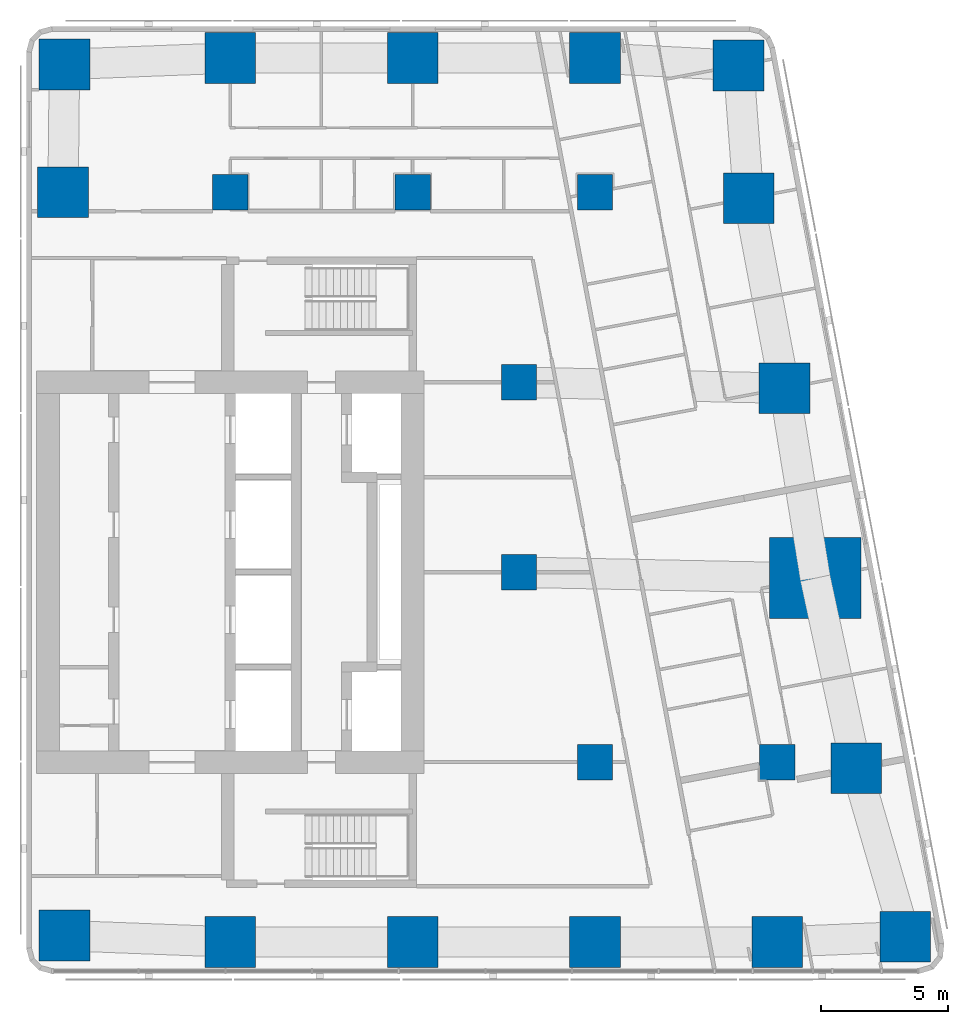
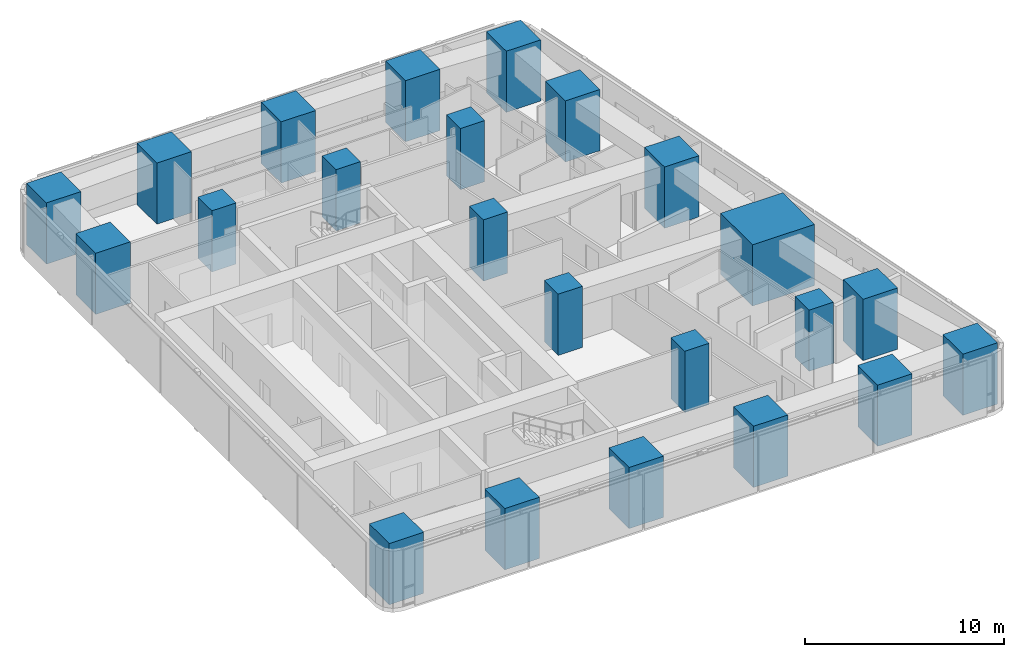
# One storey, part 1 of 11: 23 columns.
"""IFC4 building model written with IfcOpenShell, lengths in metres."""

from ifc_helpers import new_model, si_unit, direction, frame, origin, origin_2d, place, context, subcontext, project, spatial, rectangle, extrude, material, material_profile, profile_set, type_object, element, save


model = new_model("IFC4")

# Units and contexts
model_context = context("Model", 3, precision=1e-05, world=origin(), true_north=direction((0.0, 1.0)))
body_context = subcontext(model_context, "Body", "Model", "MODEL_VIEW")
ifc_project = project(units=[si_unit("LENGTHUNIT", "METRE"), si_unit("AREAUNIT", "SQUARE_METRE"), si_unit("VOLUMEUNIT", "CUBIC_METRE"), si_unit("PLANEANGLEUNIT", "RADIAN"), si_unit("MASSUNIT", "GRAM", prefix="KILO")], contexts=[model_context])

# Site, building, storey
site_placement = place(None, origin())
site = spatial("IfcSite", under=ifc_project, at=site_placement, CompositionType="ELEMENT")
building_placement = place(site_placement, origin())
building = spatial("IfcBuilding", under=site, at=building_placement, Name="Sheger Commons Tower", CompositionType="ELEMENT")
storey_placement = place(building_placement, frame((0.0, 0.0, 270.35009765625)))
storey = spatial("IfcBuildingStorey", under=building, at=storey_placement, Name="L69", CompositionType="ELEMENT", Elevation=270.35009765625)

# Columns
ifc_material_1 = material(Name="Concrete C50/60", Category="concrete")
ifc_material_profile_1 = material_profile(ifc_material_1, rectangle(XDim=3.60009765625, YDim=3.199951171875, at=origin_2d()), Name="RC 3600x3200")
ifc_profile_set_1 = profile_set([ifc_material_profile_1], Name="Concrete C50/60")
column_type_1 = type_object("IfcColumnType", Name="COLUMN PIER RC 3600x3200", PredefinedType="COLUMN", material=ifc_profile_set_1)
column_placement = place(storey_placement, frame((44.697021484375, 22.262939453125, 0.0), z_axis=(0.0, 0.0, 1.0), x_axis=(1.0, 0.0, 0.0)))
element("IfcColumn", 1, at=column_placement, inside=storey, type_object=column_type_1, Name="Pier 7/D+E/D L69", PredefinedType="COLUMN", context=body_context, shape_type="SweptSolid", body=[
    extrude(rectangle(XDim=3.60009765625, YDim=3.199951171875, at=origin_2d()), origin(), (0.0, 0.0, 1.0), 3.75),
])
ifc_material_2 = material(Name="Concrete C50/60", Category="concrete")
ifc_material_profile_2 = material_profile(ifc_material_2, rectangle(XDim=1.39990234375, YDim=1.39990234375, at=origin_2d()), Name="RC 1400x1400")
ifc_profile_set_2 = profile_set([ifc_material_profile_2], Name="Concrete C50/60")
column_type_2 = type_object("IfcColumnType", Name="COLUMN RC 1400x1400", PredefinedType="COLUMN", material=ifc_profile_set_2)
for number, where, z_axis, x_axis, name in (
    (2, (36.0, 15.0, 0.0), (0.0, 0.0, 1.0), (1.0, 0.0, 0.0), "Column 6/C L69"),
    (3, (43.199951171875, 15.0, 0.0), (0.0, 0.0, 1.0), (1.0, 0.0, 0.0), "Column 7/C L69"),
    (4, (33.0, 22.5, 0.0), (0.0, 0.0, 1.0), (1.0, 0.0, 0.0), "Column 6-3000/D L69"),
    (5, (33.0, 30.0, 0.0), (0.0, 0.0, 1.0), (1.0, 0.0, 0.0), "Column 6-3000/E L69"),
    (6, (21.60009765625, 37.5, 0.0), (0.0, 0.0, 1.0), (1.0, 0.0, 0.0), "Column 4/F L69"),
    (7, (28.800048828125, 37.5, 0.0), (0.0, 0.0, 1.0), (1.0, 0.0, 0.0), "Column 5/F L69"),
    (8, (36.0, 37.5, 0.0), (0.0, 0.0, 1.0), (1.0, 0.0, 0.0), "Column 6/F L69"),
):
    element("IfcColumn", number, at=place(storey_placement, frame(where, z_axis=z_axis, x_axis=x_axis)), inside=storey, type_object=column_type_2, Name=name, PredefinedType="COLUMN", context=body_context, shape_type="SweptSolid", body=[
        extrude(rectangle(XDim=1.39990234375, YDim=1.39990234375, at=origin_2d()), origin(), (0.0, 0.0, 1.0), 3.75),
    ])
ifc_material_3 = material(Name="Concrete C50/60", Category="concrete")
ifc_material_profile_3 = material_profile(ifc_material_3, rectangle(XDim=2.0, YDim=2.0, at=origin_2d()), Name="RC 2000x2000")
ifc_profile_set_3 = profile_set([ifc_material_profile_3], Name="Concrete C50/60")
column_type_3 = type_object("IfcColumnType", Name="COLUMN RC 2000x2000", PredefinedType="COLUMN", material=ifc_profile_set_3)
for number, where, z_axis, x_axis, name in (
    (9, (15.053955078125, 8.154052734375, 0.0), (0.0, 0.0, 1.0), (1.0, 0.0, 0.0), "Column 3/B L69"),
    (10, (21.60009765625, 7.89990234375, 0.0), (0.0, 0.0, 1.0), (1.0, 0.0, 0.0), "Column 4/B L69"),
    (11, (28.800048828125, 7.89990234375, 0.0), (0.0, 0.0, 1.0), (1.0, 0.0, 0.0), "Column 5/B L69"),
    (12, (36.0, 7.89990234375, 0.0), (0.0, 0.0, 1.0), (1.0, 0.0, 0.0), "Column 6/B L69"),
    (13, (43.199951171875, 7.89990234375, 0.0), (0.0, 0.0, 1.0), (1.0, 0.0, 0.0), "Column 7/B L69"),
    (14, (48.251953125, 8.10693359375, 0.0), (0.0, 0.0, 1.0), (1.0, 0.0, 0.0), "Column E/B L69"),
    (15, (46.31396484375, 14.762939453125, 0.0), (0.0, 0.0, 1.0), (1.0, 0.0, 0.0), "Column E/C L69"),
    (16, (43.47998046875, 29.762939453125, 0.0), (0.0, 0.0, 1.0), (1.0, 0.0, 0.0), "Column E/E L69"),
    (17, (15.0, 37.5, 0.0), (0.0, 0.0, 1.0), (1.0, 0.0, 0.0), "Column 3/F L69"),
    (18, (42.06396484375, 37.262939453125, 0.0), (0.0, 0.0, 1.0), (1.0, 0.0, 0.0), "Column E/F L69"),
    (19, (15.053955078125, 42.5458984375, 0.0), (0.0, 0.0, 1.0), (1.0, 0.0, 0.0), "Column 3/G-1.8 L69"),
    (20, (21.60009765625, 42.800048828125, 0.0), (0.0, 0.0, 1.0), (1.0, 0.0, 0.0), "Column 4/G-1.8 L69"),
    (21, (28.800048828125, 42.800048828125, 0.0), (0.0, 0.0, 1.0), (1.0, 0.0, 0.0), "Column 5/G-1.8 L69"),
    (22, (36.0, 42.800048828125, 0.0), (0.0, 0.0, 1.0), (1.0, 0.0, 0.0), "Column 6/G-1.8 L69"),
    (23, (41.6669921875, 42.506103515625, 0.0), (0.0, 0.0, 1.0), (1.0, 0.0, 0.0), "Column E/G-1.8 L69"),
):
    element("IfcColumn", number, at=place(storey_placement, frame(where, z_axis=z_axis, x_axis=x_axis)), inside=storey, type_object=column_type_3, Name=name, PredefinedType="COLUMN", context=body_context, shape_type="SweptSolid", body=[
        extrude(rectangle(XDim=2.0, YDim=2.0, at=origin_2d()), origin(), (0.0, 0.0, 1.0), 3.75),
    ])

save(model, "model.ifc")
